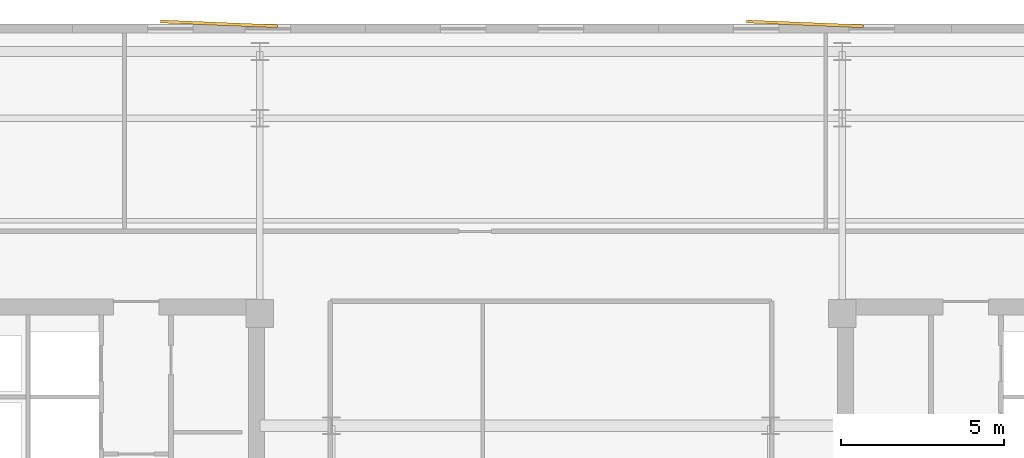
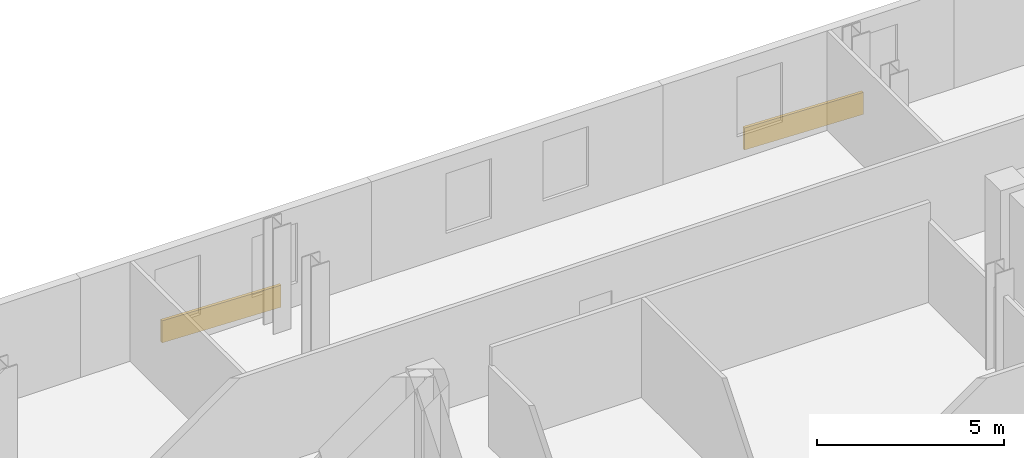
# One storey, part 9 of 9: 2 coverings.
"""IFC4 building model written with IfcOpenShell, lengths in metres."""

from ifc_helpers import new_model, si_unit, direction, frame, origin, origin_2d, place, context, subcontext, project, spatial, rectangle, extrude, material, layer, layer_set, type_object, element, save


model = new_model("IFC4")

# Units and contexts
model_context = context("Model", 3, precision=1e-05, world=origin(), true_north=direction((0.0, 1.0)))
body_context = subcontext(model_context, "Body", "Model", "MODEL_VIEW")
ifc_project = project(units=[si_unit("LENGTHUNIT", "METRE"), si_unit("AREAUNIT", "SQUARE_METRE"), si_unit("VOLUMEUNIT", "CUBIC_METRE"), si_unit("PLANEANGLEUNIT", "RADIAN"), si_unit("MASSUNIT", "GRAM", prefix="KILO")], contexts=[model_context])

# Site, building, storey
site_placement = place(None, origin())
site = spatial("IfcSite", under=ifc_project, at=site_placement, CompositionType="ELEMENT")
building_placement = place(site_placement, origin())
building = spatial("IfcBuilding", under=site, at=building_placement, Name="Velakula Bourse", CompositionType="ELEMENT")
storey_placement = place(building_placement, frame((0.0, 0.0, 211.949951171875)))
storey = spatial("IfcBuildingStorey", under=building, at=storey_placement, Name="L57", CompositionType="ELEMENT", Elevation=211.949951171875)

# Coverings
ifc_material = material(Name="Red kilned clay facing brick masonry", Category="masonry")
ifc_layer = layer(ifc_material, 0.090087890625, Name="Red kilned clay facing brick masonry", Category="masonry")
ifc_layer_set = layer_set([ifc_layer], Name="Red kilned clay facing brick masonry")
covering_type = type_object("IfcCoveringType", Name="COV-BRK-FOLD-90", PredefinedType="CLADDING", material=ifc_layer_set)
for number, where, z_axis, x_axis, name in (
    (1, (-10.199951171875, 17.5, 0.0), (0.0, 0.0, 1.0), (0.999158993058, -0.041003738744, 0.0), "L57 Folded Brick Facade Cladding Panel N-B2"),
    (2, (7.800048828125, 17.5, 0.0), (0.0, 0.0, 1.0), (0.999158993058, -0.041003738744, 0.0), "L57 Folded Brick Facade Cladding Panel N-B4"),
):
    element("IfcCovering", number, at=place(storey_placement, frame(where, z_axis=z_axis, x_axis=x_axis)), inside=storey, type_object=covering_type, Name=name, PredefinedType="CLADDING", context=body_context, shape_type="SweptSolid", body=[
        extrude(rectangle(XDim=3.60009765625, YDim=0.090087890625, at=origin_2d()), origin(), (0.0, 0.0, 1.0), 0.719970703125),
    ])

save(model, "model.ifc")
